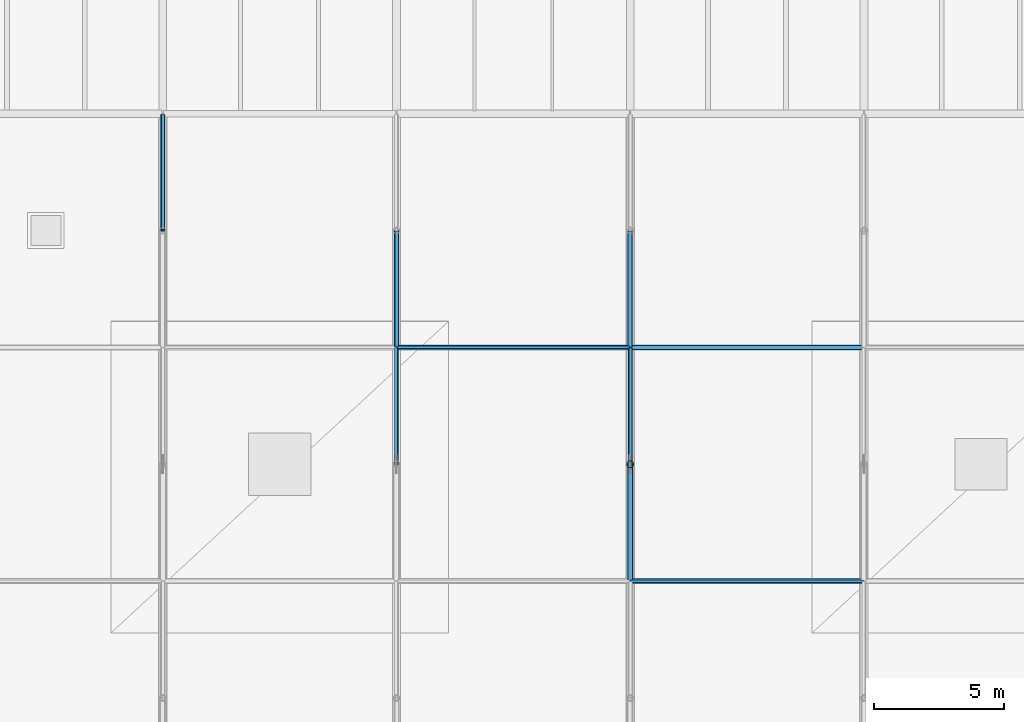
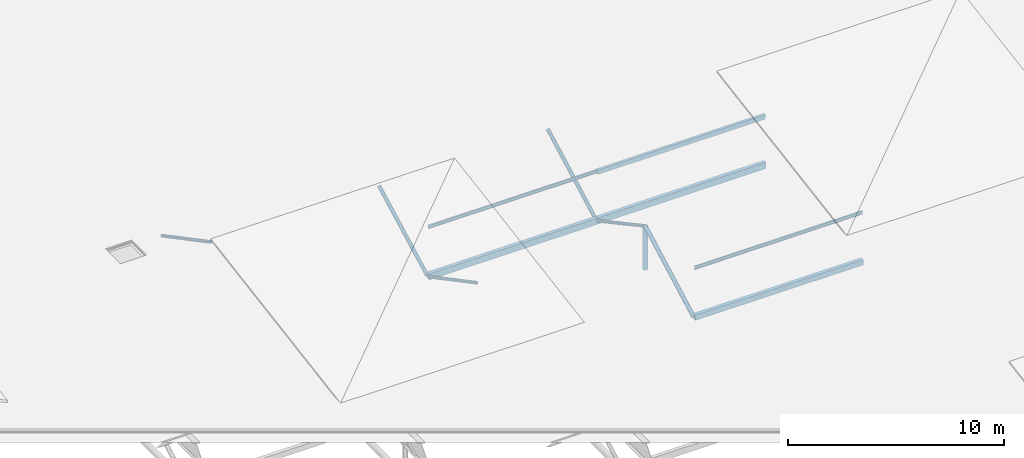
# One storey, part 93 of 196: 13 members.
"""IFC4 building model written with IfcOpenShell, lengths in metres."""

from ifc_helpers import new_model, si_unit, direction, frame, origin, origin_2d, place, context, subcontext, project, spatial, hollow_rectangle, hollow_circle, i_section, extrude, material, material_profile, profile_set, type_object, element, save


model = new_model("IFC4")

# Units and contexts
model_context = context("Model", 3, precision=1e-05, world=origin(), true_north=direction((0.0, 1.0)))
body_context = subcontext(model_context, "Body", "Model", "MODEL_VIEW")
ifc_project = project(units=[si_unit("LENGTHUNIT", "METRE"), si_unit("AREAUNIT", "SQUARE_METRE"), si_unit("VOLUMEUNIT", "CUBIC_METRE"), si_unit("PLANEANGLEUNIT", "RADIAN"), si_unit("MASSUNIT", "GRAM", prefix="KILO")], contexts=[model_context])

# Site, building, storey
site_placement = place(None, origin())
site = spatial("IfcSite", under=ifc_project, at=site_placement, CompositionType="ELEMENT")
building_placement = place(site_placement, origin())
building = spatial("IfcBuilding", under=site, at=building_placement, Name="Barlavento Convention Centre", CompositionType="ELEMENT")
storey_placement = place(building_placement, frame((0.0, 0.0, 18.0)))
storey = spatial("IfcBuildingStorey", under=building, at=storey_placement, Name="L03", CompositionType="ELEMENT", Elevation=18.0)

# Members
ifc_material = material(Name="Steel S355", Category="steel")
ifc_material_profile_1 = material_profile(ifc_material, hollow_rectangle(XDim=0.199951171875, YDim=0.300048828125, WallThickness=0.012451171875, at=origin_2d()), Name="RHS 300x200x12.5")
ifc_profile_set_1 = profile_set([ifc_material_profile_1], Name="Steel S355")
member_type_1 = type_object("IfcMemberType", Name="STR-MEM-COL-RHS300", PredefinedType="COLLAR", material=ifc_profile_set_1)
member_1_placement = place(storey_placement, frame((90.02001953125, 99.0, -3.199951171875), z_axis=(1.0, 0.0, 0.0), x_axis=(0.0, 1.0, 0.0)))
element("IfcMember", 1, at=member_1_placement, inside=storey, type_object=member_type_1, Name="Exhibition space frame transverse chord", PredefinedType="COLLAR", context=body_context, shape_type="SweptSolid", body=[
    extrude(hollow_rectangle(XDim=0.199951171875, YDim=0.300048828125, WallThickness=0.012451171875, at=origin_2d()), origin(), (0.0, 0.0, 1.0), 8.9599609375),
])
ifc_material_profile_2 = material_profile(ifc_material, hollow_rectangle(XDim=0.199951171875, YDim=0.35009765625, WallThickness=0.012451171875, at=origin_2d()), Name="RHS 350x200x12.5")
ifc_profile_set_2 = profile_set([ifc_material_profile_2], Name="Steel S355")
member_type_2 = type_object("IfcMemberType", Name="STR-MEM-COL-RHS350", PredefinedType="COLLAR", material=ifc_profile_set_2)
for number, where, z_axis, x_axis, name in (
    (2, (81.02001953125, 108.0, -3.199951171875), (1.0, 0.0, 0.0), (0.0, 1.0, 0.0), "Exhibition space frame transverse chord"),
    (3, (90.02001953125, 108.0, -3.199951171875), (1.0, 0.0, 0.0), (0.0, 1.0, 0.0), "Exhibition space frame transverse chord"),
):
    element("IfcMember", number, at=place(storey_placement, frame(where, z_axis=z_axis, x_axis=x_axis)), inside=storey, type_object=member_type_2, Name=name, PredefinedType="COLLAR", context=body_context, shape_type="SweptSolid", body=[
        extrude(hollow_rectangle(XDim=0.199951171875, YDim=0.35009765625, WallThickness=0.012451171875, at=origin_2d()), origin(), (0.0, 0.0, 1.0), 8.9599609375),
    ])
ifc_material_profile_3 = material_profile(ifc_material, hollow_circle(Radius=0.084228515625, WallThickness=0.010009765625, at=origin_2d()), Name="CHS 168.3x10.0")
ifc_profile_set_3 = profile_set([ifc_material_profile_3], Name="Steel S355")
member_type_3 = type_object("IfcMemberType", Name="STR-MEM-DIAG-CHS168", PredefinedType="POST", material=ifc_profile_set_3)
member_2_placement = place(storey_placement, frame((72.0, 112.5, -0.84912109375), z_axis=(0.0, 0.884200566707, -0.467107437144), x_axis=(-1.0, 0.0, 0.0)))
element("IfcMember", 4, at=member_2_placement, inside=storey, type_object=member_type_3, Name="Exhibition space frame web diagonal", PredefinedType="POST", context=body_context, shape_type="SweptSolid", body=[
    extrude(hollow_circle(Radius=0.084228515625, WallThickness=0.010009765625, at=origin_2d()), origin(), (0.0, 0.0, 1.0), 5.03271484375),
])
member_3_placement = place(storey_placement, frame((81.0, 103.5, -0.844970703125), z_axis=(0.0, 0.883859857229, -0.467751806816), x_axis=(-1.0, 0.0, 0.0)))
element("IfcMember", 5, at=member_3_placement, inside=storey, type_object=member_type_3, Name="Exhibition space frame web diagonal", PredefinedType="POST", context=body_context, shape_type="SweptSolid", body=[
    extrude(hollow_circle(Radius=0.084228515625, WallThickness=0.010009765625, at=origin_2d()), origin(), (0.0, 0.0, 1.0), 5.03466796875),
])
member_4_placement = place(storey_placement, frame((90.0, 103.5, -0.794921875), z_axis=(0.0, 0.879735433057, -0.475463529437), x_axis=(-1.0, 0.0, 0.0)))
element("IfcMember", 6, at=member_4_placement, inside=storey, type_object=member_type_3, Name="Exhibition space frame web diagonal", PredefinedType="POST", context=body_context, shape_type="SweptSolid", body=[
    extrude(hollow_circle(Radius=0.084228515625, WallThickness=0.010009765625, at=origin_2d()), origin(), (0.0, 0.0, 1.0), 5.058349609375),
])
ifc_material_profile_4 = material_profile(ifc_material, hollow_circle(Radius=0.096923828125, WallThickness=0.010009765625, at=origin_2d()), Name="CHS 193.7x10.0")
ifc_profile_set_4 = profile_set([ifc_material_profile_4], Name="Steel S355")
member_type_4 = type_object("IfcMemberType", Name="STR-MEM-DIAG-CHS193", PredefinedType="RAFTER", material=ifc_profile_set_4)
member_5_placement = place(storey_placement, frame((81.0, 108.050048828125, -3.199951171875), z_axis=(0.0, 0.883859857229, 0.467751806816), x_axis=(-1.0, 0.0, 0.0)))
element("IfcMember", 7, at=member_5_placement, inside=storey, type_object=member_type_4, Name="Exhibition space frame web diagonal", PredefinedType="RAFTER", context=body_context, shape_type="SweptSolid", body=[
    extrude(hollow_circle(Radius=0.096923828125, WallThickness=0.010009765625, at=origin_2d()), origin(), (0.0, 0.0, 1.0), 5.03466796875),
])
member_6_placement = place(storey_placement, frame((90.0, 108.050048828125, -3.199951171875), z_axis=(0.0, 0.879735433057, 0.475463529437), x_axis=(-1.0, 0.0, 0.0)))
element("IfcMember", 8, at=member_6_placement, inside=storey, type_object=member_type_4, Name="Exhibition space frame web diagonal", PredefinedType="RAFTER", context=body_context, shape_type="SweptSolid", body=[
    extrude(hollow_circle(Radius=0.096923828125, WallThickness=0.010009765625, at=origin_2d()), origin(), (0.0, 0.0, 1.0), 5.058349609375),
])
ifc_material_profile_5 = material_profile(ifc_material, hollow_circle(Radius=0.109619140625, WallThickness=0.012451171875, at=origin_2d()), Name="CHS 219.1x12.5")
ifc_profile_set_5 = profile_set([ifc_material_profile_5], Name="Steel S355")
member_type_5 = type_object("IfcMemberType", Name="STR-MEM-DIAG-CHS219", PredefinedType="RAFTER", material=ifc_profile_set_5)
member_7_placement = place(storey_placement, frame((90.0, 99.050048828125, -3.199951171875), z_axis=(0.0, 0.879735433057, 0.475463529437), x_axis=(-1.0, 0.0, 0.0)))
element("IfcMember", 9, at=member_7_placement, inside=storey, type_object=member_type_5, Name="Exhibition space frame web diagonal", PredefinedType="RAFTER", context=body_context, shape_type="SweptSolid", body=[
    extrude(hollow_circle(Radius=0.109619140625, WallThickness=0.012451171875, at=origin_2d()), origin(), (0.0, 0.0, 1.0), 5.058349609375),
])
ifc_material_profile_6 = material_profile(ifc_material, i_section(OverallWidth=0.091064453125, OverallDepth=0.179931640625, WebThickness=0.00537109375, FlangeThickness=0.008056640625, FilletRadius=0.009033203125, at=origin_2d()), Name="IPE 180")
ifc_profile_set_6 = profile_set([ifc_material_profile_6], Name="Steel S355")
member_type_6 = type_object("IfcMemberType", Name="STR-MEM-PUR-IPE180", PredefinedType="PURLIN", material=ifc_profile_set_6)
for number, where, z_axis, x_axis, name in (
    (10, (90.02001953125, 99.0, -0.43505859375), (1.0, 0.0, 0.0), (0.0, 1.0, 0.0), "Exhibition roof purlin"),
    (11, (81.02001953125, 108.0, -0.43505859375), (1.0, 0.0, 0.0), (0.0, 1.0, 0.0), "Exhibition roof purlin"),
):
    element("IfcMember", number, at=place(storey_placement, frame(where, z_axis=z_axis, x_axis=x_axis)), inside=storey, type_object=member_type_6, Name=name, PredefinedType="PURLIN", context=body_context, shape_type="SweptSolid", body=[
        extrude(i_section(OverallWidth=0.091064453125, OverallDepth=0.179931640625, WebThickness=0.00537109375, FlangeThickness=0.008056640625, FilletRadius=0.009033203125, at=origin_2d()), origin(), (0.0, 0.0, 1.0), 8.9599609375),
    ])
ifc_material_profile_7 = material_profile(ifc_material, hollow_rectangle(XDim=0.14990234375, YDim=0.25, WallThickness=0.010009765625, at=origin_2d()), Name="RHS 250x150x10.0")
ifc_profile_set_7 = profile_set([ifc_material_profile_7], Name="Steel S355")
member_type_7 = type_object("IfcMemberType", Name="STR-MEM-PUR-RHS250", PredefinedType="PURLIN", material=ifc_profile_set_7)
member_8_placement = place(storey_placement, frame((90.02001953125, 108.0, -0.469970703125), z_axis=(1.0, 0.0, 0.0), x_axis=(0.0, 1.0, 0.0)))
element("IfcMember", 12, at=member_8_placement, inside=storey, type_object=member_type_7, Name="Exhibition roof purlin", PredefinedType="PURLIN", context=body_context, shape_type="SweptSolid", body=[
    extrude(hollow_rectangle(XDim=0.14990234375, YDim=0.25, WallThickness=0.010009765625, at=origin_2d()), origin(), (0.0, 0.0, 1.0), 8.9599609375),
])
ifc_material_profile_8 = material_profile(ifc_material, hollow_circle(Radius=0.136474609375, WallThickness=0.012451171875, at=origin_2d()), Name="CHS 273.0x12.5")
ifc_profile_set_8 = profile_set([ifc_material_profile_8], Name="Steel S355")
member_type_8 = type_object("IfcMemberType", Name="STR-MEM-STRUT-CHS273", PredefinedType="STRUT", material=ifc_profile_set_8)
member_9_placement = place(storey_placement, frame((90.0, 103.5, -3.199951171875), z_axis=(0.0, 0.0, 1.0), x_axis=(1.0, 0.0, 0.0)))
element("IfcMember", 13, at=member_9_placement, inside=storey, type_object=member_type_8, Name="Exhibition space frame vertical strut", PredefinedType="STRUT", context=body_context, shape_type="SweptSolid", body=[
    extrude(hollow_circle(Radius=0.136474609375, WallThickness=0.012451171875, at=origin_2d()), origin(), (0.0, 0.0, 1.0), 2.405029296875),
])

save(model, "model.ifc")
